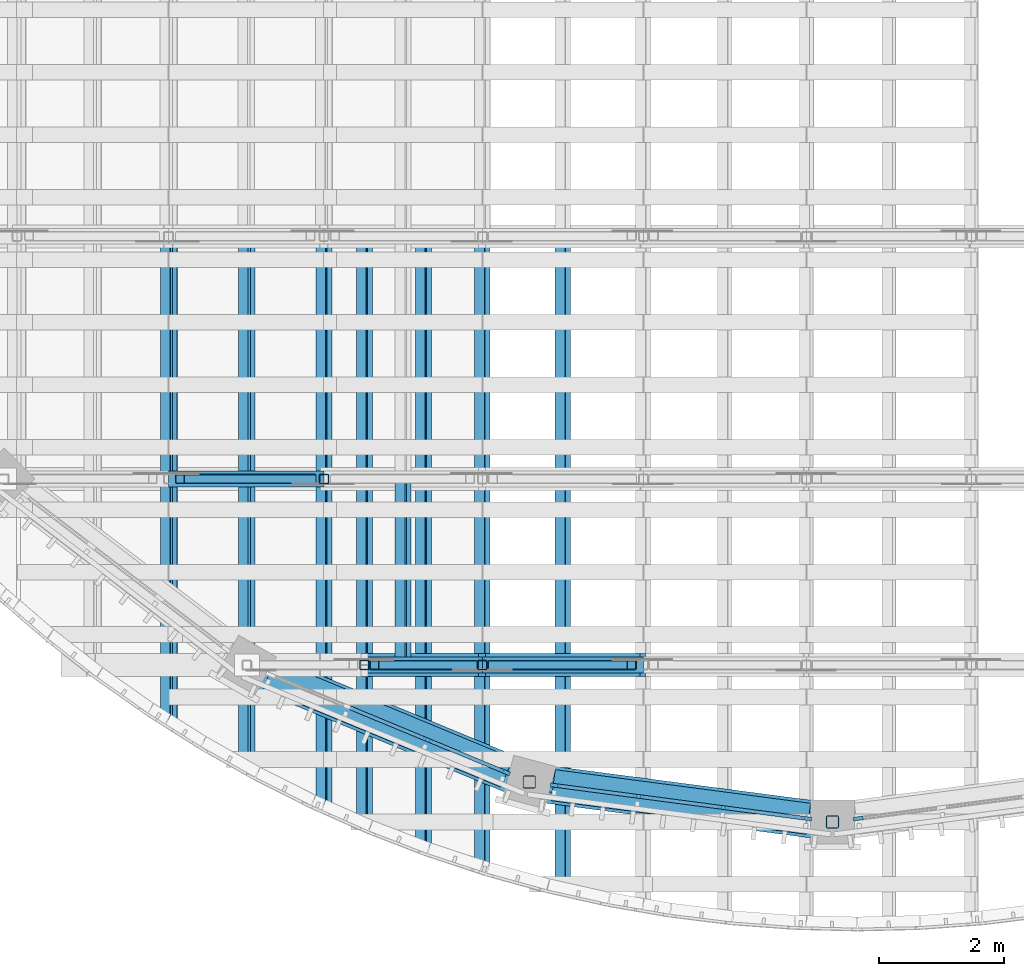
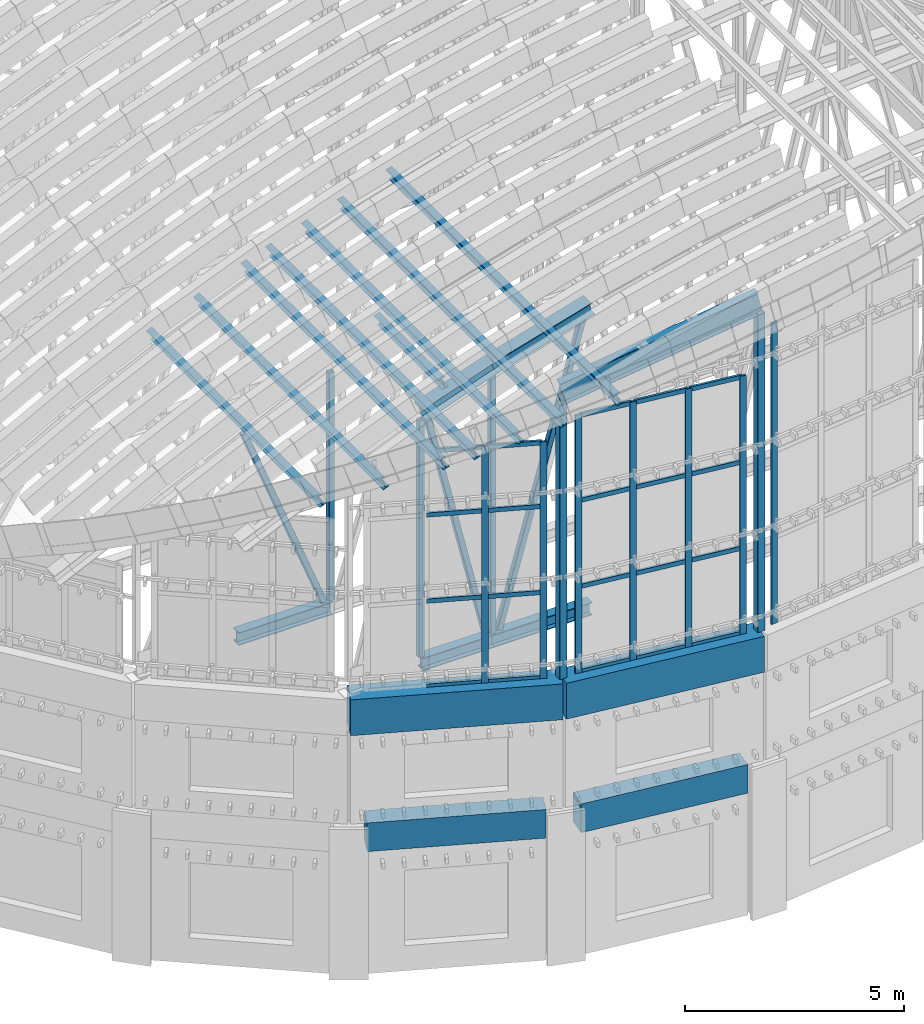
# One storey, part 4 of 105: 48 members, 5 beams, 3 elements without a shape of their own.
"""IFC4 building model written with IfcOpenShell, lengths in metres."""

from ifc_helpers import new_model, si_unit, direction, frame, origin, origin_2d, place, context, subcontext, project, spatial, rectangle, hollow_rectangle, i_section, extrude, material, layer, layer_set, material_profile, profile_set, type_object, element, aggregate, save


model = new_model("IFC4")

# Units and contexts
model_context = context("Model", 3, precision=1e-05, world=origin(), true_north=direction((0.0, 1.0)))
body_context = subcontext(model_context, "Body", "Model", "MODEL_VIEW")
ifc_project = project(units=[si_unit("LENGTHUNIT", "METRE"), si_unit("AREAUNIT", "SQUARE_METRE"), si_unit("VOLUMEUNIT", "CUBIC_METRE"), si_unit("PLANEANGLEUNIT", "RADIAN"), si_unit("MASSUNIT", "GRAM", prefix="KILO")], contexts=[model_context])

# Site, building, storey
site_placement = place(None, origin())
site = spatial("IfcSite", under=ifc_project, at=site_placement, CompositionType="ELEMENT")
building_placement = place(site_placement, origin())
building = spatial("IfcBuilding", under=site, at=building_placement, Name="Wasatch Bagh Community Centre", CompositionType="ELEMENT")
storey_placement = place(building_placement, frame((0.0, 0.0, 16.800048828125)))
storey = spatial("IfcBuildingStorey", under=building, at=storey_placement, Name="L04", CompositionType="ELEMENT", Elevation=16.800048828125)

# Members
ifc_material_1 = material(Name="ASTM A500 Grade C steel", Category="steel")
ifc_material_profile_1 = material_profile(ifc_material_1, hollow_rectangle(XDim=0.15234375, YDim=0.15234375, WallThickness=0.0087890625, InnerFilletRadius=0.0087890625, OuterFilletRadius=0.017822265625, at=origin_2d()), Name="HSS6x6x3/8")
ifc_profile_set_1 = profile_set([ifc_material_profile_1], Name="ASTM A500 Grade C steel")
member_type_1 = type_object("IfcMemberType", Name="HSS6x6x3/8 brace", PredefinedType="BRACE", material=ifc_profile_set_1)
member_1_placement = place(storey_placement, frame((27.66162109375, 21.74169921875, 8.0986328125), z_axis=(-0.362328609595, 0.0, 0.932050416377), x_axis=(0.0, -1.0, 0.0)))
element("IfcMember", 1, at=member_1_placement, inside=storey, type_object=member_type_1, Name="MH.TS3.WB02", PredefinedType="BRACE", context=body_context, shape_type="SweptSolid", body=[
    extrude(hollow_rectangle(XDim=0.15234375, YDim=0.15234375, WallThickness=0.0087890625, InnerFilletRadius=0.0087890625, OuterFilletRadius=0.017822265625, at=origin_2d()), origin(), (0.0, 0.0, 1.0), 5.808349609375),
])
member_2_placement = place(storey_placement, frame((30.23291015625, 18.761962890625, 8.08837890625), z_axis=(-0.228969594123, 0.0, 0.973433575015), x_axis=(0.0, -1.0, 0.0)))
element("IfcMember", 2, at=member_2_placement, inside=storey, type_object=member_type_1, Name="MH.TS4.WB02", PredefinedType="BRACE", context=body_context, shape_type="SweptSolid", body=[
    extrude(hollow_rectangle(XDim=0.15234375, YDim=0.15234375, WallThickness=0.0087890625, InnerFilletRadius=0.0087890625, OuterFilletRadius=0.017822265625, at=origin_2d()), origin(), (0.0, 0.0, 1.0), 6.829345703125),
])
member_3_placement = place(storey_placement, frame((30.5673828125, 18.761962890625, 8.091552734375), z_axis=(0.269835842543, 0.0, 0.962906339204), x_axis=(0.0, 1.0, 0.0)))
element("IfcMember", 3, at=member_3_placement, inside=storey, type_object=member_type_1, Name="MH.TS4.WB03", PredefinedType="BRACE", context=body_context, shape_type="SweptSolid", body=[
    extrude(hollow_rectangle(XDim=0.15234375, YDim=0.15234375, WallThickness=0.0087890625, InnerFilletRadius=0.0087890625, OuterFilletRadius=0.017822265625, at=origin_2d()), origin(), (0.0, 0.0, 1.0), 8.223388671875),
])
ifc_material_profile_2 = material_profile(ifc_material_1, hollow_rectangle(XDim=0.15234375, YDim=0.15234375, WallThickness=0.0087890625, InnerFilletRadius=0.0087890625, OuterFilletRadius=0.017822265625, at=origin_2d()), Name="HSS6x6x3/8")
ifc_profile_set_2 = profile_set([ifc_material_profile_2], Name="ASTM A500 Grade C steel")
member_type_2 = type_object("IfcMemberType", Name="HSS6x6x3/8 post", PredefinedType="POST", material=ifc_profile_set_2)
member_4_placement = place(storey_placement, frame((27.85986328125, 21.74169921875, 8.070556640625), z_axis=(0.0, 0.0, 1.0), x_axis=(1.0, 0.0, 0.0)))
element("IfcMember", 4, at=member_4_placement, inside=storey, type_object=member_type_2, Name="MH.TS3.PS03", PredefinedType="POST", context=body_context, shape_type="SweptSolid", body=[
    extrude(hollow_rectangle(XDim=0.15234375, YDim=0.15234375, WallThickness=0.0087890625, InnerFilletRadius=0.0087890625, OuterFilletRadius=0.017822265625, at=origin_2d()), origin(), (0.0, 0.0, 1.0), 6.35498046875),
])
member_5_placement = place(storey_placement, frame((28.510009765625, 18.761962890625, 8.070556640625), z_axis=(0.0, 0.0, 1.0), x_axis=(1.0, 0.0, 0.0)))
element("IfcMember", 5, at=member_5_placement, inside=storey, type_object=member_type_2, Name="MH.TS4.PS02", PredefinedType="POST", context=body_context, shape_type="SweptSolid", body=[
    extrude(hollow_rectangle(XDim=0.15234375, YDim=0.15234375, WallThickness=0.0087890625, InnerFilletRadius=0.0087890625, OuterFilletRadius=0.017822265625, at=origin_2d()), origin(), (0.0, 0.0, 1.0), 6.591552734375),
])
member_6_placement = place(storey_placement, frame((30.39501953125, 18.761962890625, 8.070556640625), z_axis=(0.0, 0.0, 1.0), x_axis=(1.0, 0.0, 0.0)))
element("IfcMember", 6, at=member_6_placement, inside=storey, type_object=member_type_2, Name="MH.TS4.PS03", PredefinedType="POST", context=body_context, shape_type="SweptSolid", body=[
    extrude(hollow_rectangle(XDim=0.15234375, YDim=0.15234375, WallThickness=0.0087890625, InnerFilletRadius=0.0087890625, OuterFilletRadius=0.017822265625, at=origin_2d()), origin(), (0.0, 0.0, 1.0), 7.251220703125),
])
ifc_material_profile_3 = material_profile(ifc_material_1, hollow_rectangle(XDim=0.203125, YDim=0.203125, WallThickness=0.01171875, InnerFilletRadius=0.01171875, OuterFilletRadius=0.023681640625, at=origin_2d()), Name="HSS8x8x1/2")
ifc_profile_set_3 = profile_set([ifc_material_profile_3], Name="ASTM A500 Grade C steel")
member_type_3 = type_object("IfcMemberType", Name="HSS8x8x1/2 post", PredefinedType="POST", material=ifc_profile_set_3)
member_7_placement = place(storey_placement, frame((31.147216796875, 16.888916015625, 7.699951171875), z_axis=(0.0, 0.0, 1.0), x_axis=(1.0, 0.0, 0.0)))
element("IfcMember", 7, at=member_7_placement, inside=storey, type_object=member_type_3, Name="MH.TS.PS.S5", PredefinedType="POST", context=body_context, shape_type="SweptSolid", body=[
    extrude(hollow_rectangle(XDim=0.203125, YDim=0.203125, WallThickness=0.01171875, InnerFilletRadius=0.01171875, OuterFilletRadius=0.023681640625, at=origin_2d()), origin(), (0.0, 0.0, 1.0), 7.63330078125),
])
member_8_placement = place(storey_placement, frame((36.0, 16.25, 7.699951171875), z_axis=(0.0, 0.0, 1.0), x_axis=(1.0, 0.0, 0.0)))
element("IfcMember", 8, at=member_8_placement, inside=storey, type_object=member_type_3, Name="MH.TS.PS.S6", PredefinedType="POST", context=body_context, shape_type="SweptSolid", body=[
    extrude(hollow_rectangle(XDim=0.203125, YDim=0.203125, WallThickness=0.01171875, InnerFilletRadius=0.01171875, OuterFilletRadius=0.023681640625, at=origin_2d()), origin(), (0.0, 0.0, 1.0), 8.860107421875),
])

# Curtain wall, members
ifc_material_2 = material(Name="Aluminium curtain wall frame with low-iron glass", Category="aluminium")
ifc_layer_1 = layer(ifc_material_2, 0.10009765625)
ifc_layer_set_1 = layer_set([ifc_layer_1], Name="Aluminium curtain wall frame with low-iron glass")
curtain_wall_type_1 = type_object("IfcCurtainWallType", Name="MH end screen curtain wall 5", PredefinedType="NOTDEFINED", material=ifc_layer_set_1)
curtain_wall_1_placement = place(storey_placement, origin())
curtain_wall_1 = element("IfcCurtainWall", 9, at=curtain_wall_1_placement, inside=storey, type_object=curtain_wall_type_1, Name="End screen 5", PredefinedType="NOTDEFINED")
ifc_material_3 = material(Name="Aluminium extrusion", Category="aluminium")
ifc_material_profile_4 = material_profile(ifc_material_3, rectangle(XDim=0.06005859375, YDim=0.159912109375, at=origin_2d()), Name="AL 60x160")
ifc_profile_set_4 = profile_set([ifc_material_profile_4], Name="Aluminium extrusion")
member_type_4 = type_object("IfcMemberType", Name="MH end screen mullion 60x160", PredefinedType="MULLION", material=ifc_profile_set_4)
member_9_placement = place(storey_placement, frame((29.520751953125, 17.5625, 7.699951171875), z_axis=(0.0, 0.0, 1.0), x_axis=(0.382683432188, 0.923879532585, 0.0)))
member_9 = element("IfcMember", 10, at=member_9_placement, type_object=member_type_4, Name="MH-CW5 mullion 3", PredefinedType="MULLION", context=body_context, shape_type="SweptSolid", body=[
    extrude(rectangle(XDim=0.06005859375, YDim=0.159912109375, at=origin_2d()), origin(), (0.0, 0.0, 1.0), 6.60009765625),
])
member_10_placement = place(storey_placement, frame((30.762451171875, 17.04833984375, 7.699951171875), z_axis=(0.0, 0.0, 1.0), x_axis=(0.382683432188, 0.923879532585, 0.0)))
member_10 = element("IfcMember", 11, at=member_10_placement, type_object=member_type_4, Name="MH-CW5 mullion 4", PredefinedType="MULLION", context=body_context, shape_type="SweptSolid", body=[
    extrude(rectangle(XDim=0.06005859375, YDim=0.159912109375, at=origin_2d()), origin(), (0.0, 0.0, 1.0), 6.60009765625),
])

ifc_layer_2 = layer(ifc_material_2, 0.10009765625)
ifc_layer_set_2 = layer_set([ifc_layer_2], Name="Aluminium curtain wall frame with low-iron glass")
curtain_wall_type_2 = type_object("IfcCurtainWallType", Name="MH end screen curtain wall 6", PredefinedType="NOTDEFINED", material=ifc_layer_set_2)
curtain_wall_2_placement = place(storey_placement, origin())
curtain_wall_2 = element("IfcCurtainWall", 12, at=curtain_wall_2_placement, inside=storey, type_object=curtain_wall_type_2, Name="End screen 6", PredefinedType="NOTDEFINED")
member_11_placement = place(storey_placement, frame((31.56005859375, 16.83447265625, 7.699951171875), z_axis=(0.0, 0.0, 1.0), x_axis=(0.13052619222, 0.991444861374, 0.0)))
member_11 = element("IfcMember", 13, at=member_11_placement, type_object=member_type_4, Name="MH-CW6 mullion 1", PredefinedType="MULLION", context=body_context, shape_type="SweptSolid", body=[
    extrude(rectangle(XDim=0.06005859375, YDim=0.159912109375, at=origin_2d()), origin(), (0.0, 0.0, 1.0), 7.199951171875),
])
member_12_placement = place(storey_placement, frame((32.892578125, 16.6591796875, 7.699951171875), z_axis=(0.0, 0.0, 1.0), x_axis=(0.13052619222, 0.991444861374, 0.0)))
member_12 = element("IfcMember", 14, at=member_12_placement, type_object=member_type_4, Name="MH-CW6 mullion 2", PredefinedType="MULLION", context=body_context, shape_type="SweptSolid", body=[
    extrude(rectangle(XDim=0.06005859375, YDim=0.159912109375, at=origin_2d()), origin(), (0.0, 0.0, 1.0), 7.199951171875),
])
member_13_placement = place(storey_placement, frame((34.254638671875, 16.479736328125, 7.699951171875), z_axis=(0.0, 0.0, 1.0), x_axis=(0.13052619222, 0.991444861374, 0.0)))
member_13 = element("IfcMember", 15, at=member_13_placement, type_object=member_type_4, Name="MH-CW6 mullion 3", PredefinedType="MULLION", context=body_context, shape_type="SweptSolid", body=[
    extrude(rectangle(XDim=0.06005859375, YDim=0.159912109375, at=origin_2d()), origin(), (0.0, 0.0, 1.0), 7.199951171875),
])
member_14_placement = place(storey_placement, frame((35.587158203125, 16.304443359375, 7.699951171875), z_axis=(0.0, 0.0, 1.0), x_axis=(0.13052619222, 0.991444861374, 0.0)))
member_14 = element("IfcMember", 16, at=member_14_placement, type_object=member_type_4, Name="MH-CW6 mullion 4", PredefinedType="MULLION", context=body_context, shape_type="SweptSolid", body=[
    extrude(rectangle(XDim=0.06005859375, YDim=0.159912109375, at=origin_2d()), origin(), (0.0, 0.0, 1.0), 7.199951171875),
])

# Curtain wall, member
ifc_layer_3 = layer(ifc_material_2, 0.10009765625)
ifc_layer_set_3 = layer_set([ifc_layer_3], Name="Aluminium curtain wall frame with low-iron glass")
curtain_wall_type_3 = type_object("IfcCurtainWallType", Name="MH end screen curtain wall 7", PredefinedType="NOTDEFINED", material=ifc_layer_set_3)
curtain_wall_3_placement = place(storey_placement, origin())
curtain_wall_3 = element("IfcCurtainWall", 17, at=curtain_wall_3_placement, inside=storey, type_object=curtain_wall_type_3, Name="End screen 7", PredefinedType="NOTDEFINED")
member_15_placement = place(storey_placement, frame((36.412841796875, 16.304443359375, 7.699951171875), z_axis=(0.0, 0.0, 1.0), x_axis=(-0.13052619222, 0.991444861374, 0.0)))
member_15 = element("IfcMember", 18, at=member_15_placement, type_object=member_type_4, Name="MH-CW7 mullion 1", PredefinedType="MULLION", context=body_context, shape_type="SweptSolid", body=[
    extrude(rectangle(XDim=0.06005859375, YDim=0.159912109375, at=origin_2d()), origin(), (0.0, 0.0, 1.0), 8.39990234375),
])
aggregate(curtain_wall_3, [member_15])

# Member
ifc_material_profile_5 = material_profile(ifc_material_3, rectangle(XDim=0.06005859375, YDim=0.1201171875, at=origin_2d()), Name="AL 60x120")
ifc_profile_set_5 = profile_set([ifc_material_profile_5], Name="Aluminium extrusion")
member_type_5 = type_object("IfcMemberType", Name="MH end screen transom 60x120", PredefinedType="USERDEFINED", material=ifc_profile_set_5)
member_16_placement = place(storey_placement, frame((28.279052734375, 18.076904296875, 7.72998046875), z_axis=(0.923844700065, -0.382767514508, 0.0), x_axis=(0.382767514508, 0.923844700065, 0.0)))
member_16 = element("IfcMember", 19, at=member_16_placement, type_object=member_type_5, Name="MH-CW5 transom 2.1", ObjectType="TRANSOM", PredefinedType="USERDEFINED", context=body_context, shape_type="SweptSolid", body=[
    extrude(rectangle(XDim=0.06005859375, YDim=0.1201171875, at=origin_2d()), origin(), (0.0, 0.0, 1.0), 1.31396484375),
])

member_17_placement = place(storey_placement, frame((28.279052734375, 18.076904296875, 10.099853515625), z_axis=(0.923844700065, -0.382767514508, 0.0), x_axis=(0.382767514508, 0.923844700065, 0.0)))
member_17 = element("IfcMember", 20, at=member_17_placement, type_object=member_type_5, Name="MH-CW5 transom 2.2", ObjectType="TRANSOM", PredefinedType="USERDEFINED", context=body_context, shape_type="SweptSolid", body=[
    extrude(rectangle(XDim=0.06005859375, YDim=0.1201171875, at=origin_2d()), origin(), (0.0, 0.0, 1.0), 1.31396484375),
])

member_18_placement = place(storey_placement, frame((28.279052734375, 18.076904296875, 12.5), z_axis=(0.923844700065, -0.382767514508, 0.0), x_axis=(0.382767514508, 0.923844700065, 0.0)))
member_18 = element("IfcMember", 21, at=member_18_placement, type_object=member_type_5, Name="MH-CW5 transom 2.3", ObjectType="TRANSOM", PredefinedType="USERDEFINED", context=body_context, shape_type="SweptSolid", body=[
    extrude(rectangle(XDim=0.06005859375, YDim=0.1201171875, at=origin_2d()), origin(), (0.0, 0.0, 1.0), 1.31396484375),
])

member_19_placement = place(storey_placement, frame((28.279052734375, 18.076904296875, 14.27001953125), z_axis=(0.923844700065, -0.382767514508, 0.0), x_axis=(0.382767514508, 0.923844700065, 0.0)))
member_19 = element("IfcMember", 22, at=member_19_placement, type_object=member_type_5, Name="MH-CW5 transom 2.4", ObjectType="TRANSOM", PredefinedType="USERDEFINED", context=body_context, shape_type="SweptSolid", body=[
    extrude(rectangle(XDim=0.06005859375, YDim=0.1201171875, at=origin_2d()), origin(), (0.0, 0.0, 1.0), 1.31396484375),
])

member_20_placement = place(storey_placement, frame((29.548583984375, 17.551025390625, 7.72998046875), z_axis=(0.923896306793, -0.382642933155, 0.0), x_axis=(0.382642933155, 0.923896306793, 0.0)))
member_20 = element("IfcMember", 23, at=member_20_placement, type_object=member_type_5, Name="MH-CW5 transom 3.1", ObjectType="TRANSOM", PredefinedType="USERDEFINED", context=body_context, shape_type="SweptSolid", body=[
    extrude(rectangle(XDim=0.06005859375, YDim=0.1201171875, at=origin_2d()), origin(), (0.0, 0.0, 1.0), 1.28369140625),
])

member_21_placement = place(storey_placement, frame((29.548583984375, 17.551025390625, 10.099853515625), z_axis=(0.923896306793, -0.382642933155, 0.0), x_axis=(0.382642933155, 0.923896306793, 0.0)))
member_21 = element("IfcMember", 24, at=member_21_placement, type_object=member_type_5, Name="MH-CW5 transom 3.2", ObjectType="TRANSOM", PredefinedType="USERDEFINED", context=body_context, shape_type="SweptSolid", body=[
    extrude(rectangle(XDim=0.06005859375, YDim=0.1201171875, at=origin_2d()), origin(), (0.0, 0.0, 1.0), 1.28369140625),
])

member_22_placement = place(storey_placement, frame((29.548583984375, 17.551025390625, 12.5), z_axis=(0.923896306793, -0.382642933155, 0.0), x_axis=(0.382642933155, 0.923896306793, 0.0)))
member_22 = element("IfcMember", 25, at=member_22_placement, type_object=member_type_5, Name="MH-CW5 transom 3.3", ObjectType="TRANSOM", PredefinedType="USERDEFINED", context=body_context, shape_type="SweptSolid", body=[
    extrude(rectangle(XDim=0.06005859375, YDim=0.1201171875, at=origin_2d()), origin(), (0.0, 0.0, 1.0), 1.28369140625),
])

member_23_placement = place(storey_placement, frame((29.548583984375, 17.551025390625, 14.27001953125), z_axis=(0.923896306793, -0.382642933155, 0.0), x_axis=(0.382642933155, 0.923896306793, 0.0)))
member_23 = element("IfcMember", 26, at=member_23_placement, type_object=member_type_5, Name="MH-CW5 transom 3.4", ObjectType="TRANSOM", PredefinedType="USERDEFINED", context=body_context, shape_type="SweptSolid", body=[
    extrude(rectangle(XDim=0.06005859375, YDim=0.1201171875, at=origin_2d()), origin(), (0.0, 0.0, 1.0), 1.28369140625),
])

aggregate(curtain_wall_1, [member_9, member_10, member_16, member_17, member_18, member_19, member_20, member_21, member_22, member_23])

member_24_placement = place(storey_placement, frame((31.58984375, 16.83056640625, 7.72998046875), z_axis=(0.991455589929, -0.130444674855, 0.0), x_axis=(0.130444674855, 0.991455589929, 0.0)))
member_24 = element("IfcMember", 27, at=member_24_placement, type_object=member_type_5, Name="MH-CW6 transom 1.1", ObjectType="TRANSOM", PredefinedType="USERDEFINED", context=body_context, shape_type="SweptSolid", body=[
    extrude(rectangle(XDim=0.06005859375, YDim=0.1201171875, at=origin_2d()), origin(), (0.0, 0.0, 1.0), 1.283935546875),
])

member_25_placement = place(storey_placement, frame((31.58984375, 16.83056640625, 10.099853515625), z_axis=(0.991455589929, -0.130444674855, 0.0), x_axis=(0.130444674855, 0.991455589929, 0.0)))
member_25 = element("IfcMember", 28, at=member_25_placement, type_object=member_type_5, Name="MH-CW6 transom 1.2", ObjectType="TRANSOM", PredefinedType="USERDEFINED", context=body_context, shape_type="SweptSolid", body=[
    extrude(rectangle(XDim=0.06005859375, YDim=0.1201171875, at=origin_2d()), origin(), (0.0, 0.0, 1.0), 1.283935546875),
])

member_26_placement = place(storey_placement, frame((31.58984375, 16.83056640625, 12.5), z_axis=(0.991455589929, -0.130444674855, 0.0), x_axis=(0.130444674855, 0.991455589929, 0.0)))
member_26 = element("IfcMember", 29, at=member_26_placement, type_object=member_type_5, Name="MH-CW6 transom 1.3", ObjectType="TRANSOM", PredefinedType="USERDEFINED", context=body_context, shape_type="SweptSolid", body=[
    extrude(rectangle(XDim=0.06005859375, YDim=0.1201171875, at=origin_2d()), origin(), (0.0, 0.0, 1.0), 1.283935546875),
])

member_27_placement = place(storey_placement, frame((31.58984375, 16.83056640625, 14.869873046875), z_axis=(0.991455589929, -0.130444674855, 0.0), x_axis=(0.130444674855, 0.991455589929, 0.0)))
member_27 = element("IfcMember", 30, at=member_27_placement, type_object=member_type_5, Name="MH-CW6 transom 1.4", ObjectType="TRANSOM", PredefinedType="USERDEFINED", context=body_context, shape_type="SweptSolid", body=[
    extrude(rectangle(XDim=0.06005859375, YDim=0.1201171875, at=origin_2d()), origin(), (0.0, 0.0, 1.0), 1.283935546875),
])

member_28_placement = place(storey_placement, frame((32.922119140625, 16.6552734375, 7.72998046875), z_axis=(0.991432780287, -0.130617924389, 0.0), x_axis=(0.130617924389, 0.991432780287, 0.0)))
member_28 = element("IfcMember", 31, at=member_28_placement, type_object=member_type_5, Name="MH-CW6 transom 2.1", ObjectType="TRANSOM", PredefinedType="USERDEFINED", context=body_context, shape_type="SweptSolid", body=[
    extrude(rectangle(XDim=0.06005859375, YDim=0.1201171875, at=origin_2d()), origin(), (0.0, 0.0, 1.0), 1.31396484375),
])

member_29_placement = place(storey_placement, frame((32.922119140625, 16.6552734375, 10.099853515625), z_axis=(0.991432780287, -0.130617924389, 0.0), x_axis=(0.130617924389, 0.991432780287, 0.0)))
member_29 = element("IfcMember", 32, at=member_29_placement, type_object=member_type_5, Name="MH-CW6 transom 2.2", ObjectType="TRANSOM", PredefinedType="USERDEFINED", context=body_context, shape_type="SweptSolid", body=[
    extrude(rectangle(XDim=0.06005859375, YDim=0.1201171875, at=origin_2d()), origin(), (0.0, 0.0, 1.0), 1.31396484375),
])

member_30_placement = place(storey_placement, frame((32.922119140625, 16.6552734375, 12.5), z_axis=(0.991432780287, -0.130617924389, 0.0), x_axis=(0.130617924389, 0.991432780287, 0.0)))
member_30 = element("IfcMember", 33, at=member_30_placement, type_object=member_type_5, Name="MH-CW6 transom 2.3", ObjectType="TRANSOM", PredefinedType="USERDEFINED", context=body_context, shape_type="SweptSolid", body=[
    extrude(rectangle(XDim=0.06005859375, YDim=0.1201171875, at=origin_2d()), origin(), (0.0, 0.0, 1.0), 1.31396484375),
])

member_31_placement = place(storey_placement, frame((32.922119140625, 16.6552734375, 14.869873046875), z_axis=(0.991432780287, -0.130617924389, 0.0), x_axis=(0.130617924389, 0.991432780287, 0.0)))
member_31 = element("IfcMember", 34, at=member_31_placement, type_object=member_type_5, Name="MH-CW6 transom 2.4", ObjectType="TRANSOM", PredefinedType="USERDEFINED", context=body_context, shape_type="SweptSolid", body=[
    extrude(rectangle(XDim=0.06005859375, YDim=0.1201171875, at=origin_2d()), origin(), (0.0, 0.0, 1.0), 1.31396484375),
])

member_32_placement = place(storey_placement, frame((34.284423828125, 16.475830078125, 7.72998046875), z_axis=(0.991455589929, -0.130444674855, 0.0), x_axis=(0.130444674855, 0.991455589929, 0.0)))
member_32 = element("IfcMember", 35, at=member_32_placement, type_object=member_type_5, Name="MH-CW6 transom 3.1", ObjectType="TRANSOM", PredefinedType="USERDEFINED", context=body_context, shape_type="SweptSolid", body=[
    extrude(rectangle(XDim=0.06005859375, YDim=0.1201171875, at=origin_2d()), origin(), (0.0, 0.0, 1.0), 1.283935546875),
])

member_33_placement = place(storey_placement, frame((34.284423828125, 16.475830078125, 10.099853515625), z_axis=(0.991455589929, -0.130444674855, 0.0), x_axis=(0.130444674855, 0.991455589929, 0.0)))
member_33 = element("IfcMember", 36, at=member_33_placement, type_object=member_type_5, Name="MH-CW6 transom 3.2", ObjectType="TRANSOM", PredefinedType="USERDEFINED", context=body_context, shape_type="SweptSolid", body=[
    extrude(rectangle(XDim=0.06005859375, YDim=0.1201171875, at=origin_2d()), origin(), (0.0, 0.0, 1.0), 1.283935546875),
])

member_34_placement = place(storey_placement, frame((34.284423828125, 16.475830078125, 12.5), z_axis=(0.991455589929, -0.130444674855, 0.0), x_axis=(0.130444674855, 0.991455589929, 0.0)))
member_34 = element("IfcMember", 37, at=member_34_placement, type_object=member_type_5, Name="MH-CW6 transom 3.3", ObjectType="TRANSOM", PredefinedType="USERDEFINED", context=body_context, shape_type="SweptSolid", body=[
    extrude(rectangle(XDim=0.06005859375, YDim=0.1201171875, at=origin_2d()), origin(), (0.0, 0.0, 1.0), 1.283935546875),
])

member_35_placement = place(storey_placement, frame((34.284423828125, 16.475830078125, 14.869873046875), z_axis=(0.991455589929, -0.130444674855, 0.0), x_axis=(0.130444674855, 0.991455589929, 0.0)))
member_35 = element("IfcMember", 38, at=member_35_placement, type_object=member_type_5, Name="MH-CW6 transom 3.4", ObjectType="TRANSOM", PredefinedType="USERDEFINED", context=body_context, shape_type="SweptSolid", body=[
    extrude(rectangle(XDim=0.06005859375, YDim=0.1201171875, at=origin_2d()), origin(), (0.0, 0.0, 1.0), 1.283935546875),
])

aggregate(curtain_wall_2, [member_11, member_12, member_13, member_14, member_24, member_25, member_26, member_27, member_28, member_29, member_30, member_31, member_32, member_33, member_34, member_35])

# Beams
ifc_material_4 = material(Name="ASTM A992 Grade 50 steel", Category="steel")
ifc_material_profile_6 = material_profile(ifc_material_4, i_section(OverallWidth=0.228271484375, OverallDepth=0.607177734375, WebThickness=0.01123046875, FlangeThickness=0.017333984375, at=origin_2d()), Name="W24x76")
ifc_profile_set_6 = profile_set([ifc_material_profile_6], Name="ASTM A992 Grade 50 steel")
beam_type_1 = type_object("IfcBeamType", Name="MH girder W24x76", PredefinedType="BEAM", material=ifc_profile_set_6)
beam_placement = place(storey_placement, frame((31.147216796875, 16.888916015625, 15.639404296875), z_axis=(0.961685197671, -0.126615191543, 0.243166967022), x_axis=(0.130533218363, 0.991443936339, 0.0)))
element("IfcBeam", 39, at=beam_placement, inside=storey, type_object=beam_type_1, Name="MH.TS.GD1", PredefinedType="BEAM", context=body_context, shape_type="SweptSolid", body=[
    extrude(i_section(OverallWidth=0.228271484375, OverallDepth=0.607177734375, WebThickness=0.01123046875, FlangeThickness=0.017333984375, at=origin_2d()), origin(), (0.0, 0.0, 1.0), 5.046142578125),
])
ifc_material_5 = material(Name="Concrete C35", Category="concrete")
ifc_material_profile_7 = material_profile(ifc_material_5, rectangle(XDim=0.5, YDim=0.800048828125, at=origin_2d()), Name="RC 500x800")
ifc_profile_set_7 = profile_set([ifc_material_profile_7], Name="Concrete C35")
beam_type_2 = type_object("IfcBeamType", Name="MH ring beam RC 500x800", PredefinedType="BEAM", material=ifc_profile_set_7)
for number, where, z_axis, x_axis, name in (
    (40, (26.98193359375, 18.6142578125, 3.800048828125), (0.923877504262, -0.382688328955, 0.0), (0.382688328955, 0.923877504262, 0.0), "Ring beam 21.0 S4-S5"),
    (41, (31.5302734375, 16.83837890625, 3.800048828125), (0.991450464722, -0.130483623501, 0.0), (0.130483623501, 0.991450464722, 0.0), "Ring beam 21.0 S5-S6"),
):
    element("IfcBeam", number, at=place(storey_placement, frame(where, z_axis=z_axis, x_axis=x_axis)), inside=storey, type_object=beam_type_2, Name=name, PredefinedType="BEAM", context=body_context, shape_type="SweptSolid", body=[
        extrude(rectangle(XDim=0.5, YDim=0.800048828125, at=origin_2d()), origin(), (0.0, 0.0, 1.0), 4.121826171875),
    ])
ifc_material_profile_8 = material_profile(ifc_material_5, rectangle(XDim=0.60009765625, YDim=1.0, at=origin_2d()), Name="RC 600x1000")
ifc_profile_set_8 = profile_set([ifc_material_profile_8], Name="Concrete C35")
beam_type_3 = type_object("IfcBeamType", Name="MH ring beam RC 600x1000", PredefinedType="BEAM", material=ifc_profile_set_8)
for number, where, z_axis, x_axis, name in (
    (42, (26.625, 18.761962890625, 7.199951171875), (0.923887958328, -0.382663090012, 0.0), (0.382663090012, 0.923887958328, 0.0), "Ring beam 24.5 S4-S5"),
    (43, (31.147216796875, 16.888916015625, 7.199951171875), (0.991443936339, -0.130533218363, 0.0), (0.130533218363, 0.991443936339, 0.0), "Ring beam 24.5 S5-S6"),
):
    element("IfcBeam", number, at=place(storey_placement, frame(where, z_axis=z_axis, x_axis=x_axis)), inside=storey, type_object=beam_type_3, Name=name, PredefinedType="BEAM", context=body_context, shape_type="SweptSolid", body=[
        extrude(rectangle(XDim=0.60009765625, YDim=1.0, at=origin_2d()), origin(), (0.0, 0.0, 1.0), 4.894775390625),
    ])

# Members
ifc_material_profile_9 = material_profile(ifc_material_4, i_section(OverallWidth=0.164794921875, OverallDepth=0.309814453125, WebThickness=0.005859375, FlangeThickness=0.009765625, at=origin_2d()), Name="W12x26")
ifc_profile_set_9 = profile_set([ifc_material_profile_9], Name="ASTM A992 Grade 50 steel")
member_type_6 = type_object("IfcMemberType", Name="W12x26 purlin", PredefinedType="PURLIN", material=ifc_profile_set_9)
member_36_placement = place(storey_placement, frame((29.12744140625, 18.761962890625, 15.44580078125), z_axis=(0.0, 1.0, 0.0), x_axis=(-0.944194316555, 0.0, -0.329388968525)))
element("IfcMember", 44, at=member_36_placement, inside=storey, type_object=member_type_6, Name="MH.TS4-TS3.PU05", PredefinedType="PURLIN", context=body_context, shape_type="SweptSolid", body=[
    extrude(i_section(OverallWidth=0.164794921875, OverallDepth=0.309814453125, WebThickness=0.005859375, FlangeThickness=0.009765625, at=origin_2d()), origin(), (0.0, 0.0, 1.0), 2.979736328125),
])
ifc_material_profile_10 = material_profile(ifc_material_4, i_section(OverallWidth=0.164794921875, OverallDepth=0.309814453125, WebThickness=0.005859375, FlangeThickness=0.009765625, at=origin_2d()), Name="W12x26")
ifc_profile_set_10 = profile_set([ifc_material_profile_10], Name="ASTM A992 Grade 50 steel")
member_type_7 = type_object("IfcMemberType", Name="W12x26 rafter", PredefinedType="RAFTER", material=ifc_profile_set_10)
member_37_placement = place(storey_placement, frame((25.379638671875, 17.892333984375, 13.994384765625), z_axis=(0.0, 1.0, 0.0), x_axis=(-0.925933778961, 0.0, -0.377685897247)))
element("IfcMember", 45, at=member_37_placement, inside=storey, type_object=member_type_7, Name="MH.TS.RF01", PredefinedType="RAFTER", context=body_context, shape_type="SweptSolid", body=[
    extrude(i_section(OverallWidth=0.164794921875, OverallDepth=0.309814453125, WebThickness=0.005859375, FlangeThickness=0.009765625, at=origin_2d()), origin(), (0.0, 0.0, 1.0), 7.732666015625),
])
member_38_placement = place(storey_placement, frame((26.625, 17.1513671875, 14.502685546875), z_axis=(0.0, 1.0, 0.0), x_axis=(-0.925933778961, 0.0, -0.377685897247)))
element("IfcMember", 46, at=member_38_placement, inside=storey, type_object=member_type_7, Name="MH.TS.RF02", PredefinedType="RAFTER", context=body_context, shape_type="SweptSolid", body=[
    extrude(i_section(OverallWidth=0.164794921875, OverallDepth=0.309814453125, WebThickness=0.005859375, FlangeThickness=0.009765625, at=origin_2d()), origin(), (0.0, 0.0, 1.0), 8.4736328125),
])
member_39_placement = place(storey_placement, frame((27.85986328125, 16.528564453125, 15.002197265625), z_axis=(0.0, 1.0, 0.0), x_axis=(-0.944194312743, 0.0, -0.32938897945)))
element("IfcMember", 47, at=member_39_placement, inside=storey, type_object=member_type_7, Name="MH.TS.RF03", PredefinedType="RAFTER", context=body_context, shape_type="SweptSolid", body=[
    extrude(i_section(OverallWidth=0.164794921875, OverallDepth=0.309814453125, WebThickness=0.005859375, FlangeThickness=0.009765625, at=origin_2d()), origin(), (0.0, 0.0, 1.0), 9.096435546875),
])
member_40_placement = place(storey_placement, frame((28.510009765625, 16.24169921875, 15.22998046875), z_axis=(0.0, 1.0, 0.0), x_axis=(-0.944194312743, 0.0, -0.32938897945)))
element("IfcMember", 48, at=member_40_placement, inside=storey, type_object=member_type_7, Name="MH.TS.RF04", PredefinedType="RAFTER", context=body_context, shape_type="SweptSolid", body=[
    extrude(i_section(OverallWidth=0.164794921875, OverallDepth=0.309814453125, WebThickness=0.005859375, FlangeThickness=0.009765625, at=origin_2d()), origin(), (0.0, 0.0, 1.0), 9.38330078125),
])
member_41_placement = place(storey_placement, frame((29.45263671875, 15.87255859375, 15.558837890625), z_axis=(0.0, 1.0, 0.0), x_axis=(-0.944194312743, 0.0, -0.32938897945)))
element("IfcMember", 49, at=member_41_placement, inside=storey, type_object=member_type_7, Name="MH.TS.RF05", PredefinedType="RAFTER", context=body_context, shape_type="SweptSolid", body=[
    extrude(i_section(OverallWidth=0.164794921875, OverallDepth=0.309814453125, WebThickness=0.005859375, FlangeThickness=0.009765625, at=origin_2d()), origin(), (0.0, 0.0, 1.0), 9.75244140625),
])
member_42_placement = place(storey_placement, frame((30.39501953125, 15.55615234375, 15.88330078125), z_axis=(0.0, 1.0, 0.0), x_axis=(-0.959937587317, 0.0, -0.280213897686)))
element("IfcMember", 50, at=member_42_placement, inside=storey, type_object=member_type_7, Name="MH.TS.RF06", PredefinedType="RAFTER", context=body_context, shape_type="SweptSolid", body=[
    extrude(i_section(OverallWidth=0.164794921875, OverallDepth=0.309814453125, WebThickness=0.005859375, FlangeThickness=0.009765625, at=origin_2d()), origin(), (0.0, 0.0, 1.0), 10.06884765625),
])
member_43_placement = place(storey_placement, frame((31.683837890625, 15.2041015625, 16.260986328125), z_axis=(0.0, 1.0, 0.0), x_axis=(-0.959937587317, 0.0, -0.280213897686)))
element("IfcMember", 51, at=member_43_placement, inside=storey, type_object=member_type_7, Name="MH.TS.RF07", PredefinedType="RAFTER", context=body_context, shape_type="SweptSolid", body=[
    extrude(i_section(OverallWidth=0.164794921875, OverallDepth=0.309814453125, WebThickness=0.005859375, FlangeThickness=0.009765625, at=origin_2d()), origin(), (0.0, 0.0, 1.0), 10.4208984375),
])
ifc_material_profile_11 = material_profile(ifc_material_4, i_section(OverallWidth=0.25390625, OverallDepth=0.355712890625, WebThickness=0.010498046875, FlangeThickness=0.018310546875, at=origin_2d()), Name="W14x68")
ifc_profile_set_11 = profile_set([ifc_material_profile_11], Name="ASTM A992 Grade 50 steel")
member_type_8 = type_object("IfcMemberType", Name="W14x68 chord", PredefinedType="CHORD", material=ifc_profile_set_11)
member_44_placement = place(storey_placement, frame((25.373779296875, 21.74169921875, 7.892822265625), z_axis=(1.0, 0.0, 0.0), x_axis=(0.0, 1.0, 0.0)))
element("IfcMember", 52, at=member_44_placement, inside=storey, type_object=member_type_8, Name="MH.TS3.BC02", PredefinedType="CHORD", context=body_context, shape_type="SweptSolid", body=[
    extrude(i_section(OverallWidth=0.25390625, OverallDepth=0.355712890625, WebThickness=0.010498046875, FlangeThickness=0.018310546875, at=origin_2d()), origin(), (0.0, 0.0, 1.0), 2.486083984375),
])
member_45_placement = place(storey_placement, frame((28.510009765625, 18.761962890625, 7.892822265625), z_axis=(1.0, 0.0, 0.0), x_axis=(0.0, 1.0, 0.0)))
element("IfcMember", 53, at=member_45_placement, inside=storey, type_object=member_type_8, Name="MH.TS4.BC02", PredefinedType="CHORD", context=body_context, shape_type="SweptSolid", body=[
    extrude(i_section(OverallWidth=0.25390625, OverallDepth=0.355712890625, WebThickness=0.010498046875, FlangeThickness=0.018310546875, at=origin_2d()), origin(), (0.0, 0.0, 1.0), 1.885009765625),
])
member_46_placement = place(storey_placement, frame((30.39501953125, 18.761962890625, 7.892822265625), z_axis=(1.0, 0.0, 0.0), x_axis=(0.0, 1.0, 0.0)))
element("IfcMember", 54, at=member_46_placement, inside=storey, type_object=member_type_8, Name="MH.TS4.BC03", PredefinedType="CHORD", context=body_context, shape_type="SweptSolid", body=[
    extrude(i_section(OverallWidth=0.25390625, OverallDepth=0.355712890625, WebThickness=0.010498046875, FlangeThickness=0.018310546875, at=origin_2d()), origin(), (0.0, 0.0, 1.0), 2.577392578125),
])
ifc_material_profile_12 = material_profile(ifc_material_4, i_section(OverallWidth=0.368408203125, OverallDepth=0.355712890625, WebThickness=0.01123046875, FlangeThickness=0.01806640625, at=origin_2d()), Name="W14x90")
ifc_profile_set_12 = profile_set([ifc_material_profile_12], Name="ASTM A992 Grade 50 steel")
member_type_9 = type_object("IfcMemberType", Name="W14x90 chord", PredefinedType="CHORD", material=ifc_profile_set_12)
member_47_placement = place(storey_placement, frame((28.5107421875, 18.761962890625, 14.878173828125), z_axis=(0.943908048023, 0.0, 0.330208414306), x_axis=(0.0, 1.0, 0.0)))
element("IfcMember", 55, at=member_47_placement, inside=storey, type_object=member_type_9, Name="MH.TS4.TC04", PredefinedType="CHORD", context=body_context, shape_type="SweptSolid", body=[
    extrude(i_section(OverallWidth=0.368408203125, OverallDepth=0.355712890625, WebThickness=0.01123046875, FlangeThickness=0.01806640625, at=origin_2d()), origin(), (0.0, 0.0, 1.0), 1.990966796875),
])
member_48_placement = place(storey_placement, frame((30.39990234375, 18.761962890625, 15.53857421875), z_axis=(0.959642555684, 0.0, 0.281222625903), x_axis=(0.0, 1.0, 0.0)))
element("IfcMember", 56, at=member_48_placement, inside=storey, type_object=member_type_9, Name="MH.TS4.TC05", PredefinedType="CHORD", context=body_context, shape_type="SweptSolid", body=[
    extrude(i_section(OverallWidth=0.368408203125, OverallDepth=0.355712890625, WebThickness=0.01123046875, FlangeThickness=0.01806640625, at=origin_2d()), origin(), (0.0, 0.0, 1.0), 2.675537109375),
])

save(model, "model.ifc")
